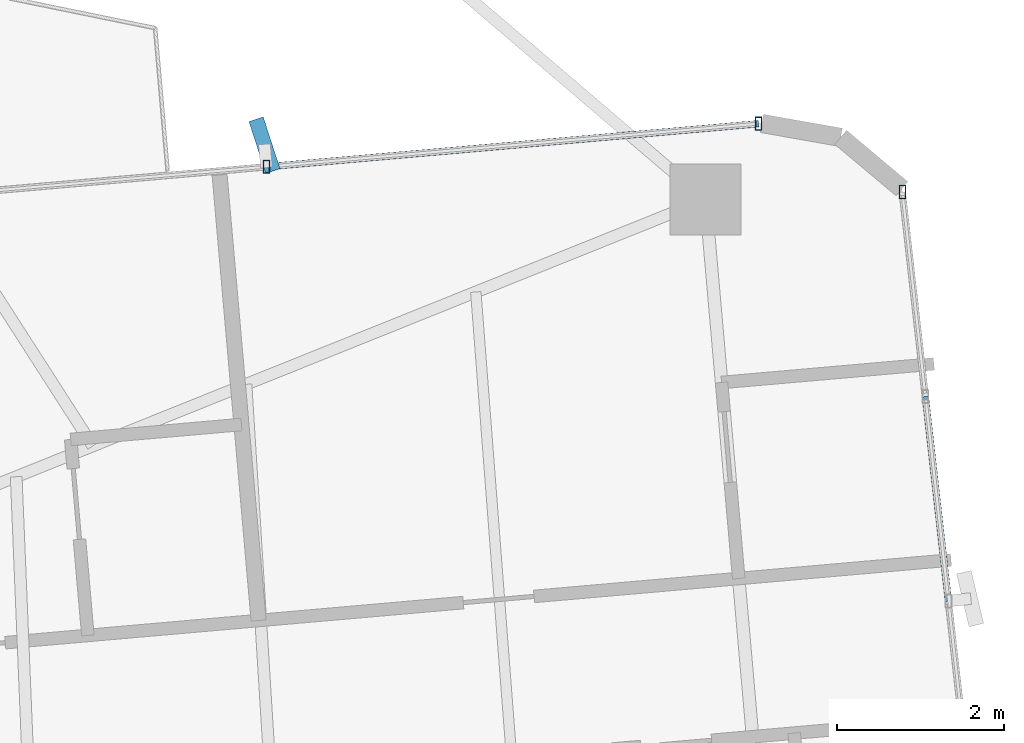
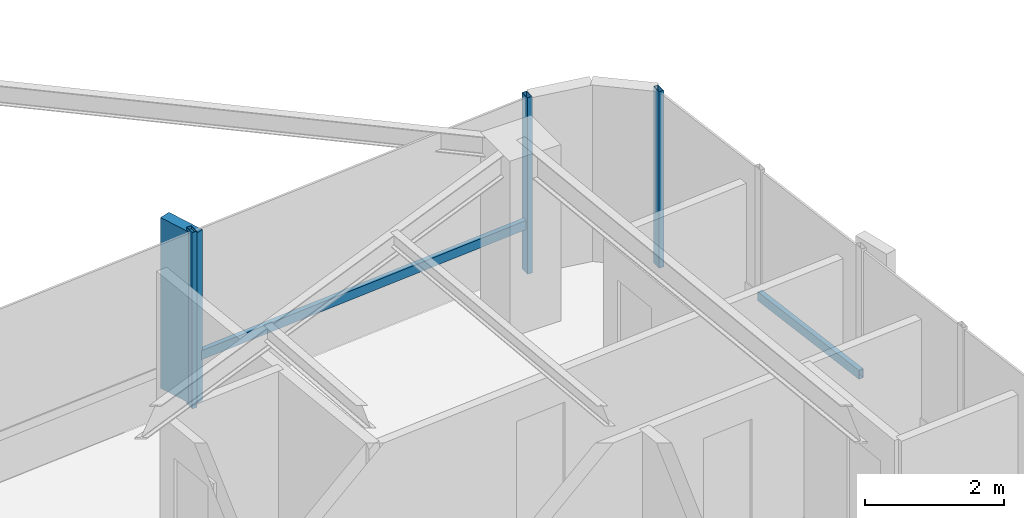
# One storey, part 15 of 24: 6 members, 2 elements without a shape of their own.
"""IFC4 building model written with IfcOpenShell, lengths in metres."""

from ifc_helpers import new_model, si_unit, direction, frame, origin, origin_2d, place, context, subcontext, project, spatial, rectangle, hollow_rectangle, extrude, source, transform, mapped, material, material_profile, profile_set, type_object, element, aggregate, save


model = new_model("IFC4")

# Units and contexts
model_context = context("Model", 3, precision=1e-05, world=origin(), true_north=direction((0.0, 1.0)))
body_context = subcontext(model_context, "Body", "Model", "MODEL_VIEW")
ifc_project = project(units=[si_unit("LENGTHUNIT", "METRE"), si_unit("AREAUNIT", "SQUARE_METRE"), si_unit("VOLUMEUNIT", "CUBIC_METRE"), si_unit("PLANEANGLEUNIT", "RADIAN"), si_unit("MASSUNIT", "GRAM", prefix="KILO")], contexts=[model_context])

# Site, building, storey
site_placement = place(None, origin())
site = spatial("IfcSite", under=ifc_project, at=site_placement, CompositionType="ELEMENT")
building_placement = place(site_placement, origin())
building = spatial("IfcBuilding", under=site, at=building_placement, Name="Sahyath Konkavel Grand Hotel", CompositionType="ELEMENT")
storey_placement = place(building_placement, frame((0.0, 0.0, 188.60009765625)))
storey = spatial("IfcBuildingStorey", under=building, at=storey_placement, Name="L52", CompositionType="ELEMENT", Elevation=188.60009765625)

# Curtain wall, member
ifc_material_1 = material(Name="Anodised Bronze Aluminium & Low-E Glazing", Category="aluminium")
curtain_wall_type = type_object("IfcCurtainWallType", Name="CW-ZONE3", PredefinedType="NOTDEFINED", material=ifc_material_1)
curtain_wall_1_placement = place(storey_placement, origin())
curtain_wall_1 = element("IfcCurtainWall", 1, at=curtain_wall_1_placement, inside=storey, type_object=curtain_wall_type, Name="L52 Unitised Curtain Wall F4", PredefinedType="NOTDEFINED")
ifc_material_2 = material(Name="Anodised Bronze Aluminium", Category="aluminium")
ifc_material_profile_1 = material_profile(ifc_material_2, hollow_rectangle(XDim=0.080078125, YDim=0.159912109375, WallThickness=0.006103515625, at=origin_2d()), Name="RHS 160x80x6")
ifc_profile_set_1 = profile_set([ifc_material_profile_1], Name="Anodised Bronze Aluminium")
member_type_1 = type_object("IfcMemberType", Name="CW-MUL-160", PredefinedType="MULLION", material=ifc_profile_set_1)
shared_shape_1 = source(origin(), body_context, "Body", "SweptSolid", [
    extrude(hollow_rectangle(XDim=0.080078125, YDim=0.159912109375, WallThickness=0.006103515625, at=origin_2d()), origin(), (0.0, 0.0, 1.0), 3.10986328125),
])
member_1_placement = place(storey_placement, frame((19.308349609375, 7.094970703125, 0.0), z_axis=(0.0, 0.0, 1.0), x_axis=(1.0, 0.0, 0.0)))
member_1 = element("IfcMember", 2, at=member_1_placement, type_object=member_type_1, Name="L52 Curtain Wall Mullion F4-4", PredefinedType="MULLION", context=body_context, shape_type="MappedRepresentation", body=[
    mapped(shared_shape_1, transform((0.0, 0.0, 0.0), scale=1.0)),
])

# Curtain wall, members
curtain_wall_2_placement = place(storey_placement, origin())
curtain_wall_2 = element("IfcCurtainWall", 3, at=curtain_wall_2_placement, inside=storey, type_object=curtain_wall_type, Name="L52 Unitised Curtain Wall F7", PredefinedType="NOTDEFINED")
member_2_placement = place(storey_placement, frame((17.58740234375, 7.912841796875, 0.0), z_axis=(0.0, 0.0, 1.0), x_axis=(1.0, 0.0, 0.0)))
member_2 = element("IfcMember", 4, at=member_2_placement, type_object=member_type_1, Name="L52 Curtain Wall Mullion F7-0", PredefinedType="MULLION", context=body_context, shape_type="MappedRepresentation", body=[
    mapped(shared_shape_1, transform((0.0, 0.0, 0.0), scale=1.0)),
])
member_3_placement = place(storey_placement, frame((11.69970703125, 7.39794921875, 0.0), z_axis=(0.0, 0.0, 1.0), x_axis=(1.0, 0.0, 0.0)))
member_3 = element("IfcMember", 5, at=member_3_placement, type_object=member_type_1, Name="L52 Curtain Wall Mullion F7-1", PredefinedType="MULLION", context=body_context, shape_type="MappedRepresentation", body=[
    mapped(shared_shape_1, transform((0.0, 0.0, 0.0), scale=1.0)),
])
ifc_material_3 = material(Name="Warm Buff Sandstone Cladding on Concrete C50/60", Category="masonry")
ifc_material_profile_2 = material_profile(ifc_material_3, rectangle(XDim=0.179931640625, YDim=0.64990234375, at=origin_2d()), Name="FIN 180x650")
ifc_profile_set_2 = profile_set([ifc_material_profile_2], Name="Warm Buff Sandstone Cladding on Concrete C50/60")
member_type_2 = type_object("IfcMemberType", Name="FIN-SANDSTONE-650", PredefinedType="MULLION", material=ifc_profile_set_2)
shared_shape_2 = source(origin(), body_context, "Body", "SweptSolid", [
    extrude(rectangle(XDim=0.179931640625, YDim=0.64990234375, at=origin_2d()), origin(), (0.0, 0.0, 1.0), 3.010009765625),
])
member_4_placement = place(storey_placement, frame((11.677001953125, 7.656982421875, 0.0498046875), z_axis=(0.0, 0.0, 1.0), x_axis=(0.951164325631, 0.308684994204, 0.0)))
member_4 = element("IfcMember", 6, at=member_4_placement, type_object=member_type_2, Name="L52 Sandstone Vertical Solar Fin FIN F7-1", PredefinedType="MULLION", context=body_context, shape_type="MappedRepresentation", body=[
    mapped(shared_shape_2, transform((0.0, 0.0, 0.0), scale=1.0)),
])

# Member
ifc_material_profile_3 = material_profile(ifc_material_2, hollow_rectangle(XDim=0.080078125, YDim=0.159912109375, WallThickness=0.006103515625, at=origin_2d()), Name="RHS 160x80x6")
ifc_profile_set_3 = profile_set([ifc_material_profile_3], Name="Anodised Bronze Aluminium")
member_type_3 = type_object("IfcMemberType", Name="CW-TRN-160", PredefinedType="USERDEFINED", material=ifc_profile_set_3)
shared_shape_3 = source(origin(), body_context, "Body", "SweptSolid", [
    extrude(hollow_rectangle(XDim=0.080078125, YDim=0.159912109375, WallThickness=0.006103515625, at=origin_2d()), origin(), (0.0, 0.0, 1.0), 2.461669921875),
])
member_5_placement = place(storey_placement, frame((19.859619140625, 2.201904296875, 0.849853515625), z_axis=(-0.111966154832, 0.993712020744, 0.0), x_axis=(-0.993712020744, -0.111966154832, 0.0)))
member_5 = element("IfcMember", 7, at=member_5_placement, type_object=member_type_3, Name="L52 Curtain Wall Transom F4-2-spandrel", ObjectType="TRANSOM", PredefinedType="USERDEFINED", context=body_context, shape_type="MappedRepresentation", body=[
    mapped(shared_shape_3, transform((0.0, 0.0, 0.0), scale=1.0)),
])

aggregate(curtain_wall_1, [member_1, member_5])

shared_shape_4 = source(origin(), body_context, "Body", "SweptSolid", [
    extrude(hollow_rectangle(XDim=0.080078125, YDim=0.159912109375, WallThickness=0.006103515625, at=origin_2d()), origin(), (0.0, 0.0, 1.0), 5.91015625),
])
member_6_placement = place(storey_placement, frame((17.58740234375, 7.912841796875, 0.849853515625), z_axis=(-0.996197841474, -0.087119806256, 0.0), x_axis=(0.087119806256, -0.996197841474, 0.0)))
member_6 = element("IfcMember", 8, at=member_6_placement, type_object=member_type_3, Name="L52 Curtain Wall Transom F7-0-spandrel", ObjectType="TRANSOM", PredefinedType="USERDEFINED", context=body_context, shape_type="MappedRepresentation", body=[
    mapped(shared_shape_4, transform((0.0, 0.0, 0.0), scale=1.0)),
])

aggregate(curtain_wall_2, [member_2, member_3, member_4, member_6])

save(model, "model.ifc")
